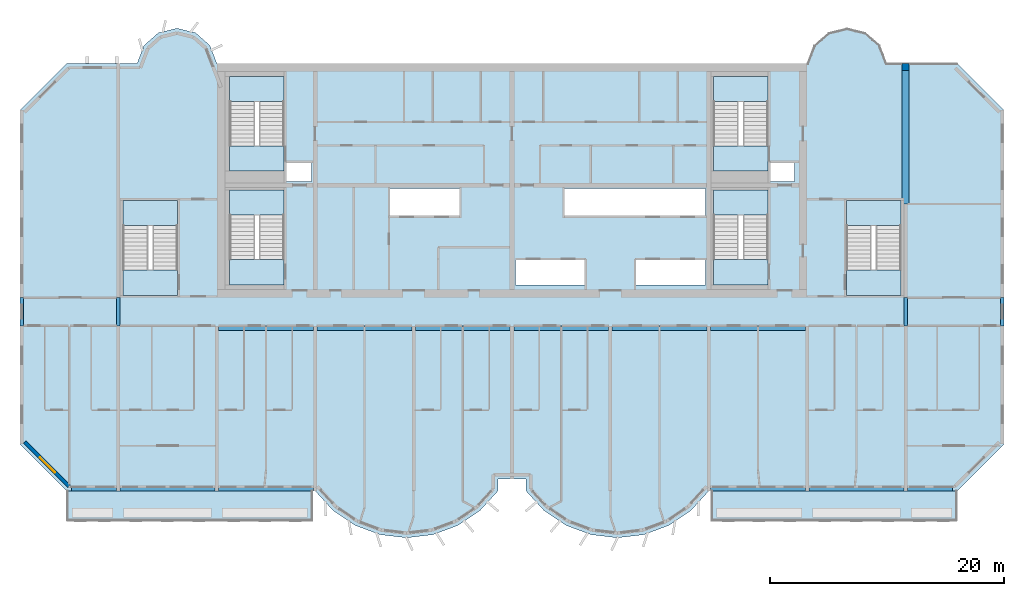
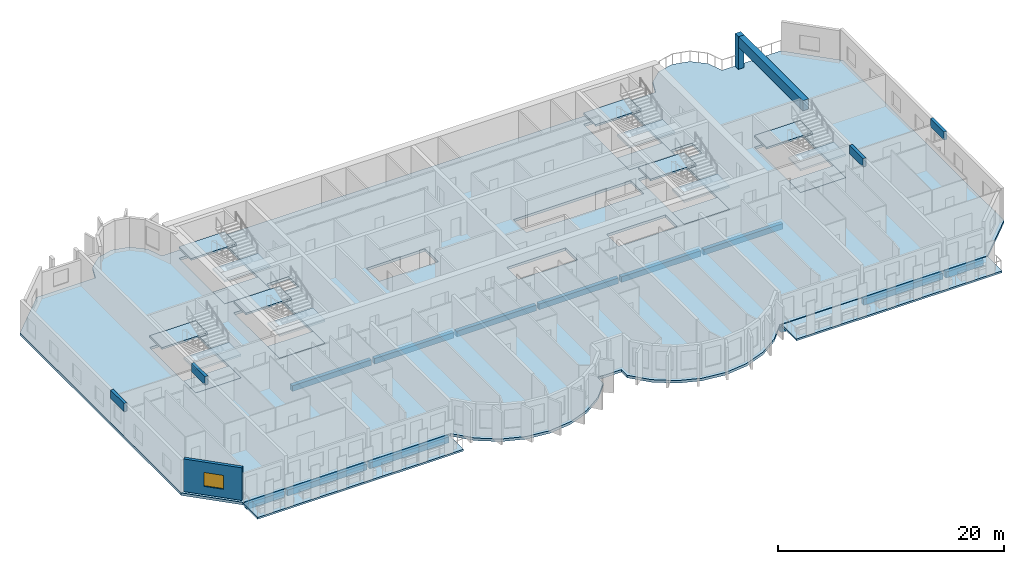
# One storey, part 1 of 13: 21 slabs, 17 beams, 1 column, 1 wall, 1 window, 1 opening, 6 elements without a shape of their own.
"""IFC4 building model written with IfcOpenShell, lengths in metres."""

from ifc_helpers import new_model, si_unit, direction, frame, frame_2d, origin, origin_2d, place, context, subcontext, project, spatial, polyline, rectangle, outline, extrude, source, transform, mapped, material, layer, layer_set, material_profile, profile_set, type_object, element, fill, aggregate, save


model = new_model("IFC4")

# Units and contexts
model_context = context("Model", 3, precision=1e-05, world=origin(), true_north=direction((0.0, 1.0)))
body_context = subcontext(model_context, "Body", "Model", "MODEL_VIEW")
ifc_project = project(units=[si_unit("LENGTHUNIT", "METRE"), si_unit("AREAUNIT", "SQUARE_METRE"), si_unit("VOLUMEUNIT", "CUBIC_METRE"), si_unit("PLANEANGLEUNIT", "RADIAN"), si_unit("MASSUNIT", "GRAM", prefix="KILO")], contexts=[model_context])

# Site, building, storey
site_placement = place(None, origin())
site = spatial("IfcSite", under=ifc_project, at=site_placement, CompositionType="ELEMENT")
building_placement = place(site_placement, origin())
building = spatial("IfcBuilding", under=site, at=building_placement, Name="Vanashikhar Sky Hotel", CompositionType="ELEMENT")
storey_placement = place(building_placement, frame((0.0, 0.0, 170.60009765625)))
storey = spatial("IfcBuildingStorey", under=building, at=storey_placement, Name="L41", CompositionType="ELEMENT", Elevation=170.60009765625)

# Column
ifc_material_1 = material(Name="Concrete M60", Category="concrete")
ifc_material_profile_1 = material_profile(ifc_material_1, rectangle(XDim=0.60009765625, YDim=0.60009765625, at=origin_2d()))
ifc_profile_set_1 = profile_set([ifc_material_profile_1], Name="RC 600x600 column Concrete M60")
column_type = type_object("IfcColumnType", Name="RC 600x600 column Concrete M60", PredefinedType="COLUMN", material=ifc_profile_set_1)
shared_shape_1 = source(origin(), body_context, "Body", "SweptSolid", [
    extrude(rectangle(XDim=0.60009765625, YDim=0.60009765625, at=origin_2d()), origin(), (0.0, 0.0, 1.0), 3.52001953125),
])
column_placement = place(storey_placement, frame((84.0, 41.699951171875, 0.0), z_axis=(0.0, 0.0, 1.0), x_axis=(1.0, 0.0, 0.0)))
element("IfcColumn", 1, at=column_placement, inside=storey, type_object=column_type, Name="CL-L41-CRF", PredefinedType="COLUMN", context=body_context, shape_type="MappedRepresentation", body=[
    mapped(shared_shape_1, transform((0.0, 0.0, 0.0), scale=1.0)),
])

# Beams
ifc_material_2 = material(Name="Concrete M50", Category="concrete")
ifc_material_profile_2 = material_profile(ifc_material_2, rectangle(XDim=0.60009765625, YDim=1.10009765625, at=origin_2d()))
ifc_profile_set_2 = profile_set([ifc_material_profile_2], Name="RC 600x1100 beam Concrete M50")
beam_type_1 = type_object("IfcBeamType", Name="RC 600x1100 beam Concrete M50", PredefinedType="BEAM", material=ifc_profile_set_2)
shared_shape_2 = source(origin(), body_context, "Body", "SweptSolid", [
    extrude(rectangle(XDim=0.60009765625, YDim=1.10009765625, at=origin_2d()), origin(), (0.0, 0.0, 1.0), 11.39990234375),
])
beam_1_placement = place(storey_placement, frame((84.0, 30.0, 2.969970703125), z_axis=(0.0, 1.0, 0.0), x_axis=(-1.0, 0.0, 0.0)))
element("IfcBeam", 2, at=beam_1_placement, inside=storey, type_object=beam_type_1, Name="LB-L41-XW11-O1", PredefinedType="BEAM", context=body_context, shape_type="MappedRepresentation", body=[
    mapped(shared_shape_2, transform((0.0, 0.0, 0.0), scale=1.0)),
])
ifc_material_profile_3 = material_profile(ifc_material_2, rectangle(XDim=0.300048828125, YDim=0.89990234375, at=origin_2d()))
ifc_profile_set_3 = profile_set([ifc_material_profile_3], Name="RC 300x900 beam Concrete M50")
beam_type_2 = type_object("IfcBeamType", Name="RC 300x900 beam Concrete M50", PredefinedType="LINTEL", material=ifc_profile_set_3)
shared_shape_3 = source(origin(), body_context, "Body", "SweptSolid", [
    extrude(rectangle(XDim=0.300048828125, YDim=0.89990234375, at=origin_2d()), origin(), (0.0, 0.0, 1.0), 2.39990234375),
])
for number, where, z_axis, x_axis, name in (
    (3, (8.550048828125, 19.60009765625, 3.06982421875), (0.0, 1.0, 0.0), (-1.0, 0.0, 0.0), "LB-L41-XW02"),
    (4, (16.800048828125, 19.60009765625, 3.06982421875), (0.0, 1.0, 0.0), (-1.0, 0.0, 0.0), "LB-L41-XW03"),
    (5, (84.0, 19.60009765625, 3.06982421875), (0.0, 1.0, 0.0), (-1.0, 0.0, 0.0), "LB-L41-XW11"),
    (6, (92.25, 19.60009765625, 3.06982421875), (0.0, 1.0, 0.0), (-1.0, 0.0, 0.0), "LB-L41-XW12"),
):
    element("IfcBeam", number, at=place(storey_placement, frame(where, z_axis=z_axis, x_axis=x_axis)), inside=storey, type_object=beam_type_2, Name=name, PredefinedType="LINTEL", context=body_context, shape_type="MappedRepresentation", body=[
        mapped(shared_shape_3, transform((0.0, 0.0, 0.0), scale=1.0)),
    ])
ifc_material_profile_4 = material_profile(ifc_material_2, rectangle(XDim=0.39990234375, YDim=0.64990234375, at=origin_2d()))
ifc_profile_set_4 = profile_set([ifc_material_profile_4], Name="RC 400x650 beam Concrete M50")
beam_type_3 = type_object("IfcBeamType", Name="RC 400x650 beam Concrete M50", PredefinedType="BEAM", material=ifc_profile_set_4)
shared_shape_4 = source(origin(), body_context, "Body", "SweptSolid", [
    extrude(rectangle(XDim=0.39990234375, YDim=0.64990234375, at=origin_2d()), origin(), (0.0, 0.0, 1.0), 8.10009765625),
])
for number, where, z_axis, x_axis, name in (
    (7, (16.949951171875, 5.699951171875, -0.60498046875), (1.0, 0.0, 0.0), (0.0, 1.0, 0.0), "EB-L41-F01"),
    (8, (75.75, 5.699951171875, -0.60498046875), (1.0, 0.0, 0.0), (0.0, 1.0, 0.0), "EB-L41-F05"),
):
    element("IfcBeam", number, at=place(storey_placement, frame(where, z_axis=z_axis, x_axis=x_axis)), inside=storey, type_object=beam_type_3, Name=name, PredefinedType="BEAM", context=body_context, shape_type="MappedRepresentation", body=[
        mapped(shared_shape_4, transform((0.0, 0.0, 0.0), scale=1.0)),
    ])
shared_shape_5 = source(origin(), body_context, "Body", "SweptSolid", [
    extrude(rectangle(XDim=0.39990234375, YDim=0.64990234375, at=origin_2d()), origin(), (0.0, 0.0, 1.0), 8.099853515625),
])
for number, where, z_axis, x_axis, name in (
    (9, (25.35009765625, 5.699951171875, -0.60498046875), (1.0, 0.0, 0.0), (0.0, 1.0, 0.0), "EB-L41-F02"),
    (10, (67.35009765625, 5.699951171875, -0.60498046875), (1.0, 0.0, 0.0), (0.0, 1.0, 0.0), "EB-L41-F04"),
):
    element("IfcBeam", number, at=place(storey_placement, frame(where, z_axis=z_axis, x_axis=x_axis)), inside=storey, type_object=beam_type_3, Name=name, PredefinedType="BEAM", context=body_context, shape_type="MappedRepresentation", body=[
        mapped(shared_shape_5, transform((0.0, 0.0, 0.0), scale=1.0)),
    ])
ifc_material_profile_5 = material_profile(ifc_material_2, rectangle(XDim=0.39990234375, YDim=0.64990234375, at=origin_2d()))
ifc_profile_set_5 = profile_set([ifc_material_profile_5], Name="RC 400x650 cantilever beam Concrete M50")
beam_type_4 = type_object("IfcBeamType", Name="RC 400x650 cantilever beam Concrete M50", PredefinedType="SPANDREL", material=ifc_profile_set_5)
shared_shape_6 = source(origin(), body_context, "Body", "SweptSolid", [
    extrude(rectangle(XDim=0.39990234375, YDim=0.64990234375, at=origin_2d()), origin(), (0.0, 0.0, 1.0), 3.849853515625),
])
beam_2_placement = place(storey_placement, frame((12.800048828125, 5.699951171875, -0.60498046875), z_axis=(1.0, 0.0, 0.0), x_axis=(0.0, 1.0, 0.0)))
element("IfcBeam", 11, at=beam_2_placement, inside=storey, type_object=beam_type_4, Name="EB-L41-F03", PredefinedType="SPANDREL", context=body_context, shape_type="MappedRepresentation", body=[
    mapped(shared_shape_6, transform((0.0, 0.0, 0.0), scale=1.0)),
])
shared_shape_7 = source(origin(), body_context, "Body", "SweptSolid", [
    extrude(rectangle(XDim=0.39990234375, YDim=0.64990234375, at=origin_2d()), origin(), (0.0, 0.0, 1.0), 3.85009765625),
])
beam_3_placement = place(storey_placement, frame((84.14990234375, 5.699951171875, -0.60498046875), z_axis=(1.0, 0.0, 0.0), x_axis=(0.0, 1.0, 0.0)))
element("IfcBeam", 12, at=beam_3_placement, inside=storey, type_object=beam_type_4, Name="EB-L41-F06", PredefinedType="SPANDREL", context=body_context, shape_type="MappedRepresentation", body=[
    mapped(shared_shape_7, transform((0.0, 0.0, 0.0), scale=1.0)),
])
ifc_material_profile_6 = material_profile(ifc_material_2, rectangle(XDim=0.39990234375, YDim=0.60009765625, at=origin_2d()))
ifc_profile_set_6 = profile_set([ifc_material_profile_6], Name="RC 400x600 beam Concrete M50")
beam_type_5 = type_object("IfcBeamType", Name="RC 400x600 beam Concrete M50", PredefinedType="BEAM", material=ifc_profile_set_6)
shared_shape_8 = source(origin(), body_context, "Body", "SweptSolid", [
    extrude(rectangle(XDim=0.39990234375, YDim=0.60009765625, at=origin_2d()), origin(), (0.0, 0.0, 1.0), 8.099853515625),
])
for number, where, z_axis, x_axis, name in (
    (13, (25.35009765625, 19.39990234375, -0.580078125), (1.0, 0.0, 0.0), (0.0, 1.0, 0.0), "CB-L41-01"),
    (14, (50.550048828125, 19.39990234375, -0.580078125), (1.0, 0.0, 0.0), (0.0, 1.0, 0.0), "CB-L41-04"),
    (15, (67.35009765625, 19.39990234375, -0.580078125), (1.0, 0.0, 0.0), (0.0, 1.0, 0.0), "CB-L41-06"),
):
    element("IfcBeam", number, at=place(storey_placement, frame(where, z_axis=z_axis, x_axis=x_axis)), inside=storey, type_object=beam_type_5, Name=name, PredefinedType="BEAM", context=body_context, shape_type="MappedRepresentation", body=[
        mapped(shared_shape_8, transform((0.0, 0.0, 0.0), scale=1.0)),
    ])
shared_shape_9 = source(origin(), body_context, "Body", "SweptSolid", [
    extrude(rectangle(XDim=0.39990234375, YDim=0.60009765625, at=origin_2d()), origin(), (0.0, 0.0, 1.0), 8.10009765625),
])
for number, where, z_axis, x_axis, name in (
    (16, (33.75, 19.39990234375, -0.580078125), (1.0, 0.0, 0.0), (0.0, 1.0, 0.0), "CB-L41-02"),
    (17, (42.14990234375, 19.39990234375, -0.580078125), (1.0, 0.0, 0.0), (0.0, 1.0, 0.0), "CB-L41-03"),
    (18, (58.949951171875, 19.39990234375, -0.580078125), (1.0, 0.0, 0.0), (0.0, 1.0, 0.0), "CB-L41-05"),
):
    element("IfcBeam", number, at=place(storey_placement, frame(where, z_axis=z_axis, x_axis=x_axis)), inside=storey, type_object=beam_type_5, Name=name, PredefinedType="BEAM", context=body_context, shape_type="MappedRepresentation", body=[
        mapped(shared_shape_9, transform((0.0, 0.0, 0.0), scale=1.0)),
    ])

# Slabs
ifc_material_3 = material(Name="Concrete M40", Category="concrete")
ifc_layer_1 = layer(ifc_material_3, 0.280029296875)
ifc_layer_set_1 = layer_set([ifc_layer_1], Name="Floor slab 280 mm")
slab_type_1 = type_object("IfcSlabType", Name="Floor slab 280 mm", PredefinedType="FLOOR", material=ifc_layer_set_1)
shared_shape_10 = source(origin(), body_context, "Body", "SweptSolid", [
    extrude(outline(polyline([(49.199951171875, 5.5), (49.199951171875, 6.5), (51.60009765625, 6.5), (51.60009765625, 5.5), (53.133056640625, 3.825927734375), (55.01708984375, 2.55810546875), (57.14599609375, 1.76806640625), (59.39990234375, 1.5), (61.654052734375, 1.76806640625), (63.782958984375, 2.55810546875), (65.6669921875, 3.825927734375), (67.199951171875, 5.5), (88.39990234375, 5.5), (92.39990234375, 9.5), (92.39990234375, 38.0), (88.39990234375, 42.0), (82.39990234375, 42.0), (81.81494140625, 43.527099609375), (80.587890625, 44.610107421875), (79.0, 45.0), (77.412109375, 44.610107421875), (76.18505859375, 43.527099609375), (75.60009765625, 42.0), (25.199951171875, 42.0), (24.614990234375, 43.527099609375), (23.387939453125, 44.610107421875), (21.800048828125, 45.0), (20.2119140625, 44.610107421875), (18.985107421875, 43.527099609375), (18.39990234375, 42.0), (12.39990234375, 42.0), (8.39990234375, 38.0), (8.39990234375, 9.5), (12.39990234375, 5.5), (33.60009765625, 5.5), (35.133056640625, 3.825927734375), (37.01708984375, 2.55810546875), (39.14599609375, 1.76806640625), (41.39990234375, 1.5), (43.654052734375, 1.76806640625), (45.782958984375, 2.55810546875), (47.6669921875, 3.825927734375), (49.199951171875, 5.5)]), holes=[polyline([(33.300048828125, 33.60009765625), (31.050048828125, 33.60009765625), (31.050048828125, 31.89990234375), (33.300048828125, 31.89990234375), (33.300048828125, 33.60009765625)]), polyline([(39.89990234375, 31.300048828125), (39.89990234375, 29.0), (45.89990234375, 29.0), (45.89990234375, 31.300048828125), (39.89990234375, 31.300048828125)]), polyline([(50.699951171875, 25.199951171875), (50.699951171875, 23.10009765625), (56.699951171875, 23.10009765625), (56.699951171875, 25.199951171875), (50.699951171875, 25.199951171875)]), polyline([(66.89990234375, 29.0), (66.89990234375, 31.300048828125), (54.89990234375, 31.300048828125), (54.89990234375, 29.0), (66.89990234375, 29.0)]), polyline([(60.89990234375, 25.199951171875), (60.89990234375, 23.10009765625), (66.89990234375, 23.10009765625), (66.89990234375, 25.199951171875), (60.89990234375, 25.199951171875)]), polyline([(74.5, 33.60009765625), (72.35009765625, 33.60009765625), (72.35009765625, 31.89990234375), (74.5, 31.89990234375), (74.5, 33.60009765625)]), polyline([(30.949951171875, 23.10009765625), (30.949951171875, 31.199951171875), (26.300048828125, 31.199951171875), (26.300048828125, 23.10009765625), (30.949951171875, 23.10009765625)]), polyline([(72.25, 23.10009765625), (72.25, 31.199951171875), (67.60009765625, 31.199951171875), (67.60009765625, 23.10009765625), (72.25, 23.10009765625)]), polyline([(30.949951171875, 32.800048828125), (30.949951171875, 40.89990234375), (26.300048828125, 40.89990234375), (26.300048828125, 32.800048828125), (30.949951171875, 32.800048828125)]), polyline([(72.25, 32.800048828125), (72.25, 40.89990234375), (67.60009765625, 40.89990234375), (67.60009765625, 32.800048828125), (72.25, 32.800048828125)]), polyline([(83.60009765625, 22.199951171875), (83.60009765625, 30.300048828125), (78.949951171875, 30.300048828125), (78.949951171875, 22.199951171875), (83.60009765625, 22.199951171875)]), polyline([(21.85009765625, 22.199951171875), (21.85009765625, 30.300048828125), (17.199951171875, 30.300048828125), (17.199951171875, 22.199951171875), (21.85009765625, 22.199951171875)])]), origin(), (0.0, 0.0, 1.0), 0.280029296875),
])
slab_1_placement = place(storey_placement, frame((0.0, 0.0, -0.280029296875)))
element("IfcSlab", 19, at=slab_1_placement, inside=storey, type_object=slab_type_1, Name="Floor slab L41", PredefinedType="FLOOR", context=body_context, shape_type="MappedRepresentation", body=[
    mapped(shared_shape_10, transform((0.0, 0.0, 0.0), scale=1.0)),
])
ifc_layer_2 = layer(ifc_material_3, 0.199951171875)
ifc_layer_set_2 = layer_set([ifc_layer_2], Name="Balcony slab 200 mm")
slab_type_2 = type_object("IfcSlabType", Name="Balcony slab 200 mm", PredefinedType="USERDEFINED", material=ifc_layer_set_2)
shared_shape_11 = source(origin(), body_context, "Body", "SweptSolid", [
    extrude(outline(polyline([(12.39990234375, 2.89990234375), (33.39990234375, 2.89990234375), (33.39990234375, 5.5), (12.39990234375, 5.5), (12.39990234375, 2.89990234375)])), origin(), (0.0, 0.0, 1.0), 0.199951171875),
])
slab_2_placement = place(storey_placement, frame((0.0, 0.0, -0.25)))
element("IfcSlab", 20, at=slab_2_placement, inside=storey, type_object=slab_type_2, Name="Balcony slab L41 1", ObjectType="BALCONY", PredefinedType="USERDEFINED", context=body_context, shape_type="MappedRepresentation", body=[
    mapped(shared_shape_11, transform((0.0, 0.0, 0.0), scale=1.0)),
])
shared_shape_12 = source(origin(), body_context, "Body", "SweptSolid", [
    extrude(outline(polyline([(67.39990234375, 2.89990234375), (88.39990234375, 2.89990234375), (88.39990234375, 5.5), (67.39990234375, 5.5), (67.39990234375, 2.89990234375)])), origin(), (0.0, 0.0, 1.0), 0.199951171875),
])
slab_3_placement = place(storey_placement, frame((0.0, 0.0, -0.25)))
element("IfcSlab", 21, at=slab_3_placement, inside=storey, type_object=slab_type_2, Name="Balcony slab L41 2", ObjectType="BALCONY", PredefinedType="USERDEFINED", context=body_context, shape_type="MappedRepresentation", body=[
    mapped(shared_shape_12, transform((0.0, 0.0, 0.0), scale=1.0)),
])

# Stair, slabs
stair_type = type_object("IfcStairType", Name="Exit stair 2150", PredefinedType="DOUBLE_RETURN_STAIR", material=ifc_material_3)
stair_1_placement = place(storey_placement, origin())
stair_1 = element("IfcStair", 22, at=stair_1_placement, inside=storey, type_object=stair_type, Name="L41 Exit stair 1", PredefinedType="DOUBLE_RETURN_STAIR")
ifc_layer_3 = layer(ifc_material_3, 0.199951171875)
ifc_layer_set_3 = layer_set([ifc_layer_3], Name="Stair landing 200")
slab_type_3 = type_object("IfcSlabType", Name="Stair landing 200", PredefinedType="LANDING", material=ifc_layer_set_3)
shared_shape_13 = source(origin(), body_context, "Body", "SweptSolid", [
    extrude(outline(polyline([(30.949951171875, 29.050048828125), (30.949951171875, 31.199951171875), (26.300048828125, 31.199951171875), (26.300048828125, 29.050048828125), (30.949951171875, 29.050048828125)])), origin(), (0.0, 0.0, 1.0), 0.199951171875),
])
slab_4_placement = place(storey_placement, frame((0.0, 0.0, 1.066650390625)))
slab_4 = element("IfcSlab", 23, at=slab_4_placement, type_object=slab_type_3, Name="ST-C1 landing 1", PredefinedType="LANDING", context=body_context, shape_type="MappedRepresentation", body=[
    mapped(shared_shape_13, transform((0.0, 0.0, 0.0), scale=1.0)),
])
shared_shape_14 = source(origin(), body_context, "Body", "SweptSolid", [
    extrude(outline(polyline([(30.949951171875, 23.10009765625), (30.949951171875, 25.25), (26.300048828125, 25.25), (26.300048828125, 23.10009765625), (30.949951171875, 23.10009765625)])), origin(), (0.0, 0.0, 1.0), 0.199951171875),
])
slab_5_placement = place(storey_placement, frame((0.0, 0.0, 2.333251953125)))
slab_5 = element("IfcSlab", 24, at=slab_5_placement, type_object=slab_type_3, Name="ST-C1 landing 2", PredefinedType="LANDING", context=body_context, shape_type="MappedRepresentation", body=[
    mapped(shared_shape_14, transform((0.0, 0.0, 0.0), scale=1.0)),
])
aggregate(stair_1, [slab_4, slab_5])

# Slab
ifc_layer_4 = layer(ifc_material_3, 0.280029296875)
ifc_layer_set_4 = layer_set([ifc_layer_4], Name="Stair floor landing 280")
slab_type_4 = type_object("IfcSlabType", Name="Stair floor landing 280", PredefinedType="LANDING", material=ifc_layer_set_4)
shared_shape_15 = source(origin(), body_context, "Body", "SweptSolid", [
    extrude(outline(polyline([(30.949951171875, 23.10009765625), (30.949951171875, 25.25), (26.300048828125, 25.25), (26.300048828125, 23.10009765625), (30.949951171875, 23.10009765625)])), origin(), (0.0, 0.0, 1.0), 0.280029296875),
])
slab_6_placement = place(storey_placement, frame((0.0, 0.0, -0.280029296875)))
element("IfcSlab", 25, at=slab_6_placement, inside=storey, type_object=slab_type_4, Name="Exit stair 1 floor landing", PredefinedType="LANDING", context=body_context, shape_type="MappedRepresentation", body=[
    mapped(shared_shape_15, transform((0.0, 0.0, 0.0), scale=1.0)),
])

# Stair, slabs
stair_2_placement = place(storey_placement, origin())
stair_2 = element("IfcStair", 26, at=stair_2_placement, inside=storey, type_object=stair_type, Name="L41 Exit stair 2", PredefinedType="DOUBLE_RETURN_STAIR")
shared_shape_16 = source(origin(), body_context, "Body", "SweptSolid", [
    extrude(outline(polyline([(72.25, 29.050048828125), (72.25, 31.199951171875), (67.60009765625, 31.199951171875), (67.60009765625, 29.050048828125), (72.25, 29.050048828125)])), origin(), (0.0, 0.0, 1.0), 0.199951171875),
])
slab_7_placement = place(storey_placement, frame((0.0, 0.0, 1.066650390625)))
slab_7 = element("IfcSlab", 27, at=slab_7_placement, type_object=slab_type_3, Name="ST-C2 landing 1", PredefinedType="LANDING", context=body_context, shape_type="MappedRepresentation", body=[
    mapped(shared_shape_16, transform((0.0, 0.0, 0.0), scale=1.0)),
])
shared_shape_17 = source(origin(), body_context, "Body", "SweptSolid", [
    extrude(outline(polyline([(72.25, 23.10009765625), (72.25, 25.25), (67.60009765625, 25.25), (67.60009765625, 23.10009765625), (72.25, 23.10009765625)])), origin(), (0.0, 0.0, 1.0), 0.199951171875),
])
slab_8_placement = place(storey_placement, frame((0.0, 0.0, 2.333251953125)))
slab_8 = element("IfcSlab", 28, at=slab_8_placement, type_object=slab_type_3, Name="ST-C2 landing 2", PredefinedType="LANDING", context=body_context, shape_type="MappedRepresentation", body=[
    mapped(shared_shape_17, transform((0.0, 0.0, 0.0), scale=1.0)),
])
aggregate(stair_2, [slab_7, slab_8])

# Slab
shared_shape_18 = source(origin(), body_context, "Body", "SweptSolid", [
    extrude(outline(polyline([(72.25, 23.10009765625), (72.25, 25.25), (67.60009765625, 25.25), (67.60009765625, 23.10009765625), (72.25, 23.10009765625)])), origin(), (0.0, 0.0, 1.0), 0.280029296875),
])
slab_9_placement = place(storey_placement, frame((0.0, 0.0, -0.280029296875)))
element("IfcSlab", 29, at=slab_9_placement, inside=storey, type_object=slab_type_4, Name="Exit stair 2 floor landing", PredefinedType="LANDING", context=body_context, shape_type="MappedRepresentation", body=[
    mapped(shared_shape_18, transform((0.0, 0.0, 0.0), scale=1.0)),
])

# Stair, slabs
stair_3_placement = place(storey_placement, origin())
stair_3 = element("IfcStair", 30, at=stair_3_placement, inside=storey, type_object=stair_type, Name="L41 Exit stair 3", PredefinedType="DOUBLE_RETURN_STAIR")
shared_shape_19 = source(origin(), body_context, "Body", "SweptSolid", [
    extrude(outline(polyline([(21.85009765625, 28.14990234375), (21.85009765625, 30.300048828125), (17.199951171875, 30.300048828125), (17.199951171875, 28.14990234375), (21.85009765625, 28.14990234375)])), origin(), (0.0, 0.0, 1.0), 0.199951171875),
])
slab_10_placement = place(storey_placement, frame((0.0, 0.0, 1.066650390625)))
slab_10 = element("IfcSlab", 31, at=slab_10_placement, type_object=slab_type_3, Name="ST-W landing 1", PredefinedType="LANDING", context=body_context, shape_type="MappedRepresentation", body=[
    mapped(shared_shape_19, transform((0.0, 0.0, 0.0), scale=1.0)),
])
shared_shape_20 = source(origin(), body_context, "Body", "SweptSolid", [
    extrude(outline(polyline([(21.85009765625, 22.199951171875), (21.85009765625, 24.35009765625), (17.199951171875, 24.35009765625), (17.199951171875, 22.199951171875), (21.85009765625, 22.199951171875)])), origin(), (0.0, 0.0, 1.0), 0.199951171875),
])
slab_11_placement = place(storey_placement, frame((0.0, 0.0, 2.333251953125)))
slab_11 = element("IfcSlab", 32, at=slab_11_placement, type_object=slab_type_3, Name="ST-W landing 2", PredefinedType="LANDING", context=body_context, shape_type="MappedRepresentation", body=[
    mapped(shared_shape_20, transform((0.0, 0.0, 0.0), scale=1.0)),
])
aggregate(stair_3, [slab_10, slab_11])

# Slab
shared_shape_21 = source(origin(), body_context, "Body", "SweptSolid", [
    extrude(outline(polyline([(21.85009765625, 22.199951171875), (21.85009765625, 24.35009765625), (17.199951171875, 24.35009765625), (17.199951171875, 22.199951171875), (21.85009765625, 22.199951171875)])), origin(), (0.0, 0.0, 1.0), 0.280029296875),
])
slab_12_placement = place(storey_placement, frame((0.0, 0.0, -0.280029296875)))
element("IfcSlab", 33, at=slab_12_placement, inside=storey, type_object=slab_type_4, Name="Exit stair 3 floor landing", PredefinedType="LANDING", context=body_context, shape_type="MappedRepresentation", body=[
    mapped(shared_shape_21, transform((0.0, 0.0, 0.0), scale=1.0)),
])

# Stair, slabs
stair_4_placement = place(storey_placement, origin())
stair_4 = element("IfcStair", 34, at=stair_4_placement, inside=storey, type_object=stair_type, Name="L41 Exit stair 4", PredefinedType="DOUBLE_RETURN_STAIR")
shared_shape_22 = source(origin(), body_context, "Body", "SweptSolid", [
    extrude(outline(polyline([(83.60009765625, 28.14990234375), (83.60009765625, 30.300048828125), (78.949951171875, 30.300048828125), (78.949951171875, 28.14990234375), (83.60009765625, 28.14990234375)])), origin(), (0.0, 0.0, 1.0), 0.199951171875),
])
slab_13_placement = place(storey_placement, frame((0.0, 0.0, 1.066650390625)))
slab_13 = element("IfcSlab", 35, at=slab_13_placement, type_object=slab_type_3, Name="ST-E landing 1", PredefinedType="LANDING", context=body_context, shape_type="MappedRepresentation", body=[
    mapped(shared_shape_22, transform((0.0, 0.0, 0.0), scale=1.0)),
])
shared_shape_23 = source(origin(), body_context, "Body", "SweptSolid", [
    extrude(outline(polyline([(83.60009765625, 22.199951171875), (83.60009765625, 24.35009765625), (78.949951171875, 24.35009765625), (78.949951171875, 22.199951171875), (83.60009765625, 22.199951171875)])), origin(), (0.0, 0.0, 1.0), 0.199951171875),
])
slab_14_placement = place(storey_placement, frame((0.0, 0.0, 2.333251953125)))
slab_14 = element("IfcSlab", 36, at=slab_14_placement, type_object=slab_type_3, Name="ST-E landing 2", PredefinedType="LANDING", context=body_context, shape_type="MappedRepresentation", body=[
    mapped(shared_shape_23, transform((0.0, 0.0, 0.0), scale=1.0)),
])
aggregate(stair_4, [slab_13, slab_14])

# Slab
shared_shape_24 = source(origin(), body_context, "Body", "SweptSolid", [
    extrude(outline(polyline([(83.60009765625, 22.199951171875), (83.60009765625, 24.35009765625), (78.949951171875, 24.35009765625), (78.949951171875, 22.199951171875), (83.60009765625, 22.199951171875)])), origin(), (0.0, 0.0, 1.0), 0.280029296875),
])
slab_15_placement = place(storey_placement, frame((0.0, 0.0, -0.280029296875)))
element("IfcSlab", 37, at=slab_15_placement, inside=storey, type_object=slab_type_4, Name="Exit stair 4 floor landing", PredefinedType="LANDING", context=body_context, shape_type="MappedRepresentation", body=[
    mapped(shared_shape_24, transform((0.0, 0.0, 0.0), scale=1.0)),
])

# Stair, slabs
stair_5_placement = place(storey_placement, origin())
stair_5 = element("IfcStair", 38, at=stair_5_placement, inside=storey, type_object=stair_type, Name="L41 Exit stair 5", PredefinedType="DOUBLE_RETURN_STAIR")
shared_shape_25 = source(origin(), body_context, "Body", "SweptSolid", [
    extrude(outline(polyline([(30.949951171875, 38.75), (30.949951171875, 40.89990234375), (26.300048828125, 40.89990234375), (26.300048828125, 38.75), (30.949951171875, 38.75)])), origin(), (0.0, 0.0, 1.0), 0.199951171875),
])
slab_16_placement = place(storey_placement, frame((0.0, 0.0, 1.066650390625)))
slab_16 = element("IfcSlab", 39, at=slab_16_placement, type_object=slab_type_3, Name="ST-C3 landing 1", PredefinedType="LANDING", context=body_context, shape_type="MappedRepresentation", body=[
    mapped(shared_shape_25, transform((0.0, 0.0, 0.0), scale=1.0)),
])
shared_shape_26 = source(origin(), body_context, "Body", "SweptSolid", [
    extrude(outline(polyline([(30.949951171875, 32.800048828125), (30.949951171875, 34.949951171875), (26.300048828125, 34.949951171875), (26.300048828125, 32.800048828125), (30.949951171875, 32.800048828125)])), origin(), (0.0, 0.0, 1.0), 0.199951171875),
])
slab_17_placement = place(storey_placement, frame((0.0, 0.0, 2.333251953125)))
slab_17 = element("IfcSlab", 40, at=slab_17_placement, type_object=slab_type_3, Name="ST-C3 landing 2", PredefinedType="LANDING", context=body_context, shape_type="MappedRepresentation", body=[
    mapped(shared_shape_26, transform((0.0, 0.0, 0.0), scale=1.0)),
])
aggregate(stair_5, [slab_16, slab_17])

# Slab
shared_shape_27 = source(origin(), body_context, "Body", "SweptSolid", [
    extrude(outline(polyline([(30.949951171875, 32.800048828125), (30.949951171875, 34.949951171875), (26.300048828125, 34.949951171875), (26.300048828125, 32.800048828125), (30.949951171875, 32.800048828125)])), origin(), (0.0, 0.0, 1.0), 0.280029296875),
])
slab_18_placement = place(storey_placement, frame((0.0, 0.0, -0.280029296875)))
element("IfcSlab", 41, at=slab_18_placement, inside=storey, type_object=slab_type_4, Name="Exit stair 5 floor landing", PredefinedType="LANDING", context=body_context, shape_type="MappedRepresentation", body=[
    mapped(shared_shape_27, transform((0.0, 0.0, 0.0), scale=1.0)),
])

# Stair, slabs
stair_6_placement = place(storey_placement, origin())
stair_6 = element("IfcStair", 42, at=stair_6_placement, inside=storey, type_object=stair_type, Name="L41 Exit stair 6", PredefinedType="DOUBLE_RETURN_STAIR")
shared_shape_28 = source(origin(), body_context, "Body", "SweptSolid", [
    extrude(outline(polyline([(72.25, 38.75), (72.25, 40.89990234375), (67.60009765625, 40.89990234375), (67.60009765625, 38.75), (72.25, 38.75)])), origin(), (0.0, 0.0, 1.0), 0.199951171875),
])
slab_19_placement = place(storey_placement, frame((0.0, 0.0, 1.066650390625)))
slab_19 = element("IfcSlab", 43, at=slab_19_placement, type_object=slab_type_3, Name="ST-C4 landing 1", PredefinedType="LANDING", context=body_context, shape_type="MappedRepresentation", body=[
    mapped(shared_shape_28, transform((0.0, 0.0, 0.0), scale=1.0)),
])
shared_shape_29 = source(origin(), body_context, "Body", "SweptSolid", [
    extrude(outline(polyline([(72.25, 32.800048828125), (72.25, 34.949951171875), (67.60009765625, 34.949951171875), (67.60009765625, 32.800048828125), (72.25, 32.800048828125)])), origin(), (0.0, 0.0, 1.0), 0.199951171875),
])
slab_20_placement = place(storey_placement, frame((0.0, 0.0, 2.333251953125)))
slab_20 = element("IfcSlab", 44, at=slab_20_placement, type_object=slab_type_3, Name="ST-C4 landing 2", PredefinedType="LANDING", context=body_context, shape_type="MappedRepresentation", body=[
    mapped(shared_shape_29, transform((0.0, 0.0, 0.0), scale=1.0)),
])
aggregate(stair_6, [slab_19, slab_20])

# Slab
shared_shape_30 = source(origin(), body_context, "Body", "SweptSolid", [
    extrude(outline(polyline([(72.25, 32.800048828125), (72.25, 34.949951171875), (67.60009765625, 34.949951171875), (67.60009765625, 32.800048828125), (72.25, 32.800048828125)])), origin(), (0.0, 0.0, 1.0), 0.280029296875),
])
slab_21_placement = place(storey_placement, frame((0.0, 0.0, -0.280029296875)))
element("IfcSlab", 45, at=slab_21_placement, inside=storey, type_object=slab_type_4, Name="Exit stair 6 floor landing", PredefinedType="LANDING", context=body_context, shape_type="MappedRepresentation", body=[
    mapped(shared_shape_30, transform((0.0, 0.0, 0.0), scale=1.0)),
])

# Wall, opening, window
ifc_layer_5 = layer(ifc_material_2, 0.300048828125)
ifc_layer_set_5 = layer_set([ifc_layer_5], Name="Lobe wall 300")
wall_type = type_object("IfcWallType", Name="Lobe wall 300", PredefinedType="SOLIDWALL", material=ifc_layer_set_5)
shared_shape_31 = source(origin(), body_context, "Body", "SweptSolid", [
    extrude(rectangle(XDim=5.32568359375, YDim=0.300048828125, at=frame_2d((2.662841796875, 0.0))), origin(), (0.0, 0.0, 1.0), 3.52001953125),
])
wall_placement = place(storey_placement, frame((8.800048828125, 9.665771484375, 0.0), z_axis=(0.0, 0.0, 1.0), x_axis=(0.707083859269, -0.707129702361, 0.0)))
wall = element("IfcWall", 46, at=wall_placement, inside=storey, type_object=wall_type, Name="Corner wall", PredefinedType="SOLIDWALL", context=body_context, shape_type="MappedRepresentation", body=[
    mapped(shared_shape_31, transform((0.0, 0.0, 0.0), scale=1.0)),
])
shared_shape_32 = source(origin(), body_context, "Body", "SweptSolid", [
    extrude(rectangle(XDim=1.800048828125, YDim=1.5, at=frame_2d((0.89990234375, 0.75))), frame((0.0, 0.16015625, 0.0), z_axis=(0.0, -1.0, 0.0), x_axis=(1.0, 0.0, 0.0)), (0.0, 0.0, 1.0), 0.320068359375),
])
opening_placement = place(wall_placement, frame((1.8359375, 0.0, 0.89990234375)))
opening = element("IfcOpeningElement", 47, at=opening_placement, cuts=wall, Name="Opening WN-4", PredefinedType="OPENING", context=body_context, shape_type="MappedRepresentation", body=[
    mapped(shared_shape_32, transform((0.0, 0.0, 0.0), scale=1.0)),
])
ifc_material_4 = material(Name="Glass", Category="glass")
window_type = type_object("IfcWindowType", Name="Corner window 1800 x 1500", PartitioningType="SINGLE_PANEL", PredefinedType="WINDOW", material=ifc_material_4)
shared_shape_33 = source(origin(), body_context, "Body", "SweptSolid", [
    extrude(rectangle(XDim=1.800048828125, YDim=1.5, at=frame_2d((0.89990234375, 0.75))), frame((0.0, 0.030029296875, 0.0), z_axis=(0.0, -1.0, 0.0), x_axis=(1.0, 0.0, 0.0)), (0.0, 0.0, 1.0), 0.06005859375),
])
window_placement = place(opening_placement, origin())
window = element("IfcWindow", 48, at=window_placement, inside=storey, type_object=window_type, Name="Window WN-4", OverallHeight=1.5, OverallWidth=1.800048828125, PartitioningType="SINGLE_PANEL", PredefinedType="WINDOW", context=body_context, shape_type="MappedRepresentation", body=[
    mapped(shared_shape_33, transform((0.0, 0.0, 0.0), scale=1.0)),
])
fill(opening, window)

save(model, "model.ifc")
